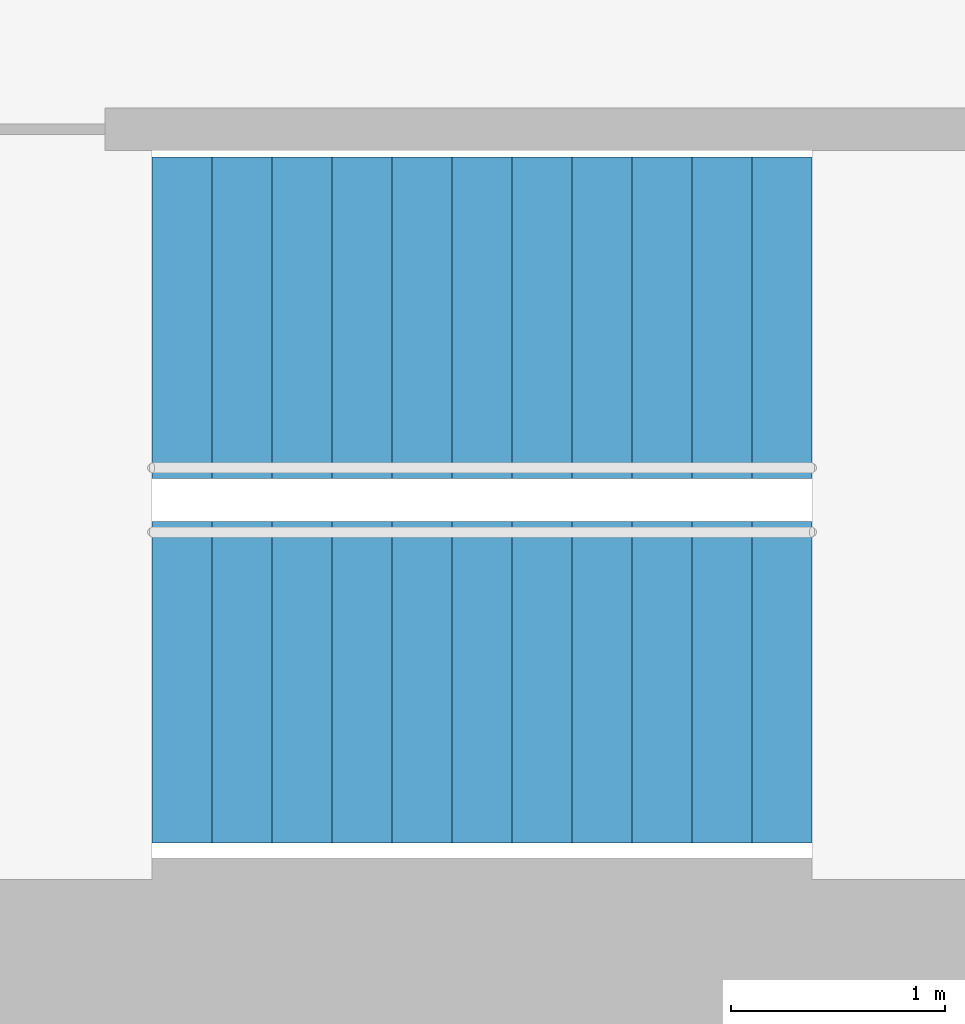
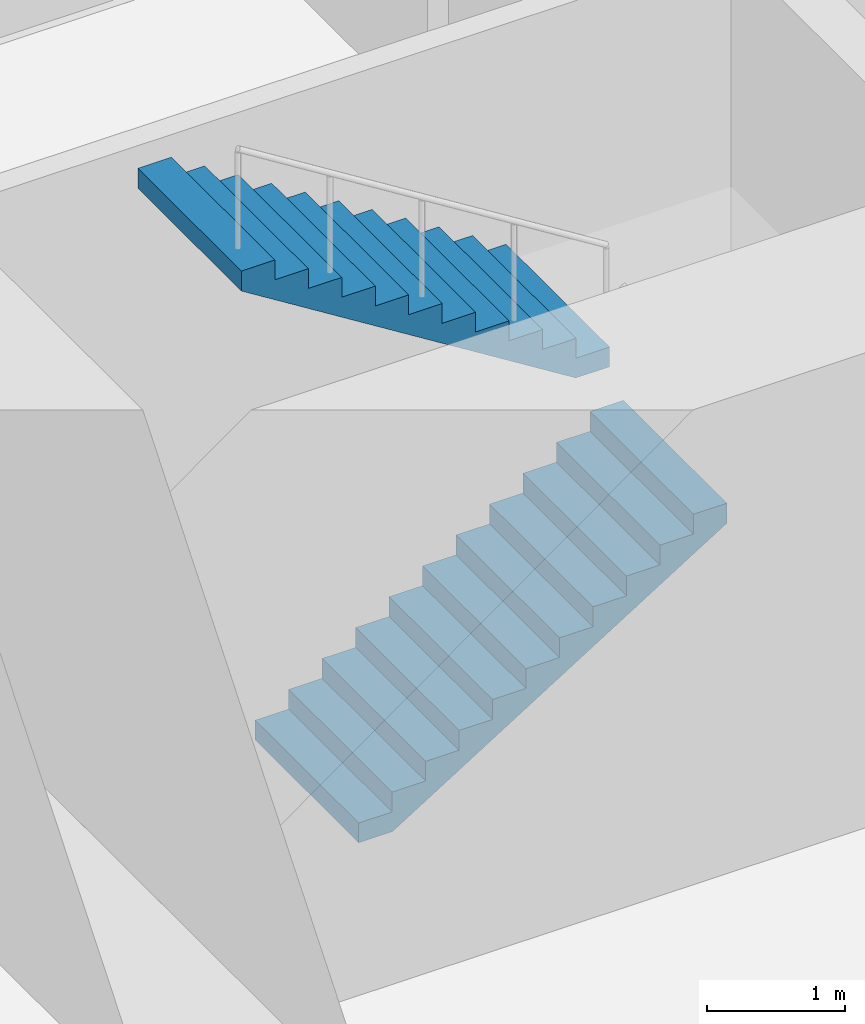
# One storey, part 16 of 18: 2 stair flights, 1 element without a shape of its own.
"""IFC4 building model written with IfcOpenShell, lengths in metres."""

from ifc_helpers import new_model, si_unit, direction, frame, origin, place, context, subcontext, project, spatial, triangles, material, type_object, element, aggregate, save


model = new_model("IFC4")

# Units and contexts
model_context = context("Model", 3, precision=1e-05, world=origin(), true_north=direction((0.0, 1.0)))
body_context = subcontext(model_context, "Body", "Model", "MODEL_VIEW")
ifc_project = project(units=[si_unit("LENGTHUNIT", "METRE"), si_unit("AREAUNIT", "SQUARE_METRE"), si_unit("VOLUMEUNIT", "CUBIC_METRE"), si_unit("PLANEANGLEUNIT", "RADIAN"), si_unit("MASSUNIT", "GRAM", prefix="KILO")], contexts=[model_context])

# Site, building, storey
site_placement = place(None, origin())
site = spatial("IfcSite", under=ifc_project, at=site_placement, CompositionType="ELEMENT")
building_placement = place(site_placement, origin())
building = spatial("IfcBuilding", under=site, at=building_placement, Name="Lantaw Convention Tower", CompositionType="ELEMENT")
storey_placement = place(building_placement, frame((0.0, 0.0, 172.0)))
storey = spatial("IfcBuildingStorey", under=building, at=storey_placement, Name="L40", CompositionType="ELEMENT", Elevation=172.0)

# Stair, stair flights
ifc_material = material(Name="Concrete C35/45", Category="concrete")
stair_type = type_object("IfcStairType", Name="Exit stair 1500 riser 175 in 2 flights", PredefinedType="HALF_TURN_STAIR", material=ifc_material)
stair_placement = place(storey_placement, origin())
stair = element("IfcStair", 1, at=stair_placement, inside=storey, type_object=stair_type, Name="Exit stair S1 L40", PredefinedType="HALF_TURN_STAIR")
stair_flight_type = type_object("IfcStairFlightType", Name="Stair flight 1500 riser 175", PredefinedType="STRAIGHT", material=ifc_material)
stair_flight_1_placement = place(storey_placement, frame((-10.580078125, -5.97998046875, 0.0), z_axis=(0.0, 0.0, 1.0), x_axis=(1.0, 0.0, 0.0)))
stair_flight_1 = element("IfcStairFlight", 2, at=stair_flight_1_placement, type_object=stair_flight_type, Name="S1 flight 1", NumberOfRisers=12, NumberOfTreads=11, PredefinedType="STRAIGHT", RiserHeight=0.175, TreadLength=0.28, context=body_context, shape_type="Tessellation", body=[
    triangles([(0.0, 0.75, 0.0), (0.0, 0.75, 0.175), (0.28, 0.75, 0.0), (0.28, 0.75, 0.175), (0.28, 0.75, 0.35), (0.28283517651771284, 0.75, 0.0), (0.28283517651771284, 0.75, 0.35), (0.56, 0.75, 0.17322801467642948), (0.56, 0.75, 0.35), (0.56, 0.75, 0.5249999999999999), (0.8400000000000001, 0.75, 0.34822801467642944), (0.8400000000000001, 0.75, 0.5249999999999999), (0.8400000000000001, 0.75, 0.7), (1.12, 0.75, 0.5232280146764294), (1.12, 0.75, 0.7), (1.12, 0.75, 0.875), (1.4000000000000001, 0.75, 0.6982280146764295), (1.4000000000000001, 0.75, 0.875), (1.4000000000000001, 0.75, 1.0499999999999998), (1.6800000000000002, 0.75, 0.8732280146764294), (1.6800000000000002, 0.75, 1.0499999999999998), (1.6800000000000002, 0.75, 1.2249999999999999), (1.9600000000000002, 0.75, 1.0482280146764293), (1.9600000000000002, 0.75, 1.2249999999999999), (1.9600000000000002, 0.75, 1.4), (2.24, 0.75, 1.2232280146764294), (2.24, 0.75, 1.4), (2.24, 0.75, 1.575), (2.5200000000000005, 0.75, 1.3982280146764294), (2.5200000000000005, 0.75, 1.575), (2.5200000000000005, 0.75, 1.75), (2.8000000000000003, 0.75, 1.5732280146764293), (2.8000000000000003, 0.75, 1.75), (2.8000000000000003, 0.75, 1.9249999999999998), (3.08, 0.75, 1.7482280146764293), (3.08, 0.75, 1.9249999999999998), (0.0, -0.75, 0.0), (0.0, -0.75, 0.175), (0.28, -0.75, 0.0), (0.28, -0.75, 0.175), (0.28, -0.75, 0.35), (0.28283517651771284, -0.75, 0.0), (0.28283517651771284, -0.75, 0.35), (0.56, -0.75, 0.17322801467642948), (0.56, -0.75, 0.35), (0.56, -0.75, 0.5249999999999999), (0.8400000000000001, -0.75, 0.34822801467642944), (0.8400000000000001, -0.75, 0.5249999999999999), (0.8400000000000001, -0.75, 0.7), (1.12, -0.75, 0.5232280146764294), (1.12, -0.75, 0.7), (1.12, -0.75, 0.875), (1.4000000000000001, -0.75, 0.6982280146764295), (1.4000000000000001, -0.75, 0.875), (1.4000000000000001, -0.75, 1.0499999999999998), (1.6800000000000002, -0.75, 0.8732280146764294), (1.6800000000000002, -0.75, 1.0499999999999998), (1.6800000000000002, -0.75, 1.2249999999999999), (1.9600000000000002, -0.75, 1.0482280146764293), (1.9600000000000002, -0.75, 1.2249999999999999), (1.9600000000000002, -0.75, 1.4), (2.24, -0.75, 1.2232280146764294), (2.24, -0.75, 1.4), (2.24, -0.75, 1.575), (2.5200000000000005, -0.75, 1.3982280146764294), (2.5200000000000005, -0.75, 1.575), (2.5200000000000005, -0.75, 1.75), (2.8000000000000003, -0.75, 1.5732280146764293), (2.8000000000000003, -0.75, 1.75), (2.8000000000000003, -0.75, 1.9249999999999998), (3.08, -0.75, 1.7482280146764293), (3.08, -0.75, 1.9249999999999998), (0.0, 0.15000000000000002, 0.175), (0.0, 0.15000000000000002, 0.0), (0.0, 0.0, 0.175), (0.0, 0.0, 0.0), (0.0, -0.15000000000000002, 0.175), (0.0, -0.15000000000000002, 0.0), (0.28, 0.15000000000000002, 0.35), (0.28, 0.15000000000000002, 0.175), (0.28, 0.0, 0.35), (0.28, 0.0, 0.175), (0.28, -0.15000000000000002, 0.35), (0.28, -0.15000000000000002, 0.175), (0.56, 0.15000000000000002, 0.5249999999999999), (0.56, 0.15000000000000002, 0.35), (0.56, 0.0, 0.5249999999999999), (0.56, 0.0, 0.35), (0.56, -0.15000000000000002, 0.5249999999999999), (0.56, -0.15000000000000002, 0.35), (0.8400000000000001, 0.15000000000000002, 0.7), (0.8400000000000001, 0.15000000000000002, 0.5249999999999999), (0.8400000000000001, 0.0, 0.7), (0.8400000000000001, 0.0, 0.5249999999999999), (0.8400000000000001, -0.15000000000000002, 0.7), (0.8400000000000001, -0.15000000000000002, 0.5249999999999999), (1.12, 0.15000000000000002, 0.875), (1.12, 0.15000000000000002, 0.7), (1.12, 0.0, 0.875), (1.12, 0.0, 0.7), (1.12, -0.15000000000000002, 0.875), (1.12, -0.15000000000000002, 0.7), (1.4000000000000001, 0.15000000000000002, 1.0499999999999998), (1.4000000000000001, 0.15000000000000002, 0.875), (1.4000000000000001, 0.0, 1.0499999999999998), (1.4000000000000001, 0.0, 0.875), (1.4000000000000001, -0.15000000000000002, 1.0499999999999998), (1.4000000000000001, -0.15000000000000002, 0.875), (1.6800000000000002, 0.15000000000000002, 1.2249999999999999), (1.6800000000000002, 0.15000000000000002, 1.0499999999999998), (1.6800000000000002, 0.0, 1.2249999999999999), (1.6800000000000002, 0.0, 1.0499999999999998), (1.6800000000000002, -0.15000000000000002, 1.2249999999999999), (1.6800000000000002, -0.15000000000000002, 1.0499999999999998), (1.9600000000000002, 0.15000000000000002, 1.4), (1.9600000000000002, 0.15000000000000002, 1.2249999999999999), (1.9600000000000002, 0.0, 1.4), (1.9600000000000002, 0.0, 1.2249999999999999), (1.9600000000000002, -0.15000000000000002, 1.4), (1.9600000000000002, -0.15000000000000002, 1.2249999999999999), (2.24, 0.15000000000000002, 1.575), (2.24, 0.15000000000000002, 1.4), (2.24, 0.0, 1.575), (2.24, 0.0, 1.4), (2.24, -0.15000000000000002, 1.575), (2.24, -0.15000000000000002, 1.4), (2.5200000000000005, 0.15000000000000002, 1.75), (2.5200000000000005, 0.15000000000000002, 1.575), (2.5200000000000005, 0.0, 1.75), (2.5200000000000005, 0.0, 1.575), (2.5200000000000005, -0.15000000000000002, 1.75), (2.5200000000000005, -0.15000000000000002, 1.575), (2.8000000000000003, 0.15000000000000002, 1.9249999999999998), (2.8000000000000003, 0.15000000000000002, 1.75), (2.8000000000000003, 0.0, 1.9249999999999998), (2.8000000000000003, 0.0, 1.75), (2.8000000000000003, -0.15000000000000002, 1.9249999999999998), (2.8000000000000003, -0.15000000000000002, 1.75), (0.28283517651771284, 0.15000000000000002, 0.35), (0.28283517651771284, 0.0, 0.35), (0.28283517651771284, -0.15000000000000002, 0.35), (3.08, 0.15000000000000002, 1.9249999999999998), (3.08, 0.0, 1.9249999999999998), (3.08, -0.15000000000000002, 1.9249999999999998), (3.08, 0.15000000000000002, 1.7482280146764293), (3.08, 0.0, 1.7482280146764293), (3.08, -0.15000000000000002, 1.7482280146764293), (2.8000000000000003, 0.15000000000000002, 1.5732280146764293), (2.8000000000000003, 0.0, 1.5732280146764293), (2.8000000000000003, -0.15000000000000002, 1.5732280146764293), (2.5200000000000005, 0.15000000000000002, 1.3982280146764294), (2.5200000000000005, 0.0, 1.3982280146764294), (2.5200000000000005, -0.15000000000000002, 1.3982280146764294), (2.24, 0.15000000000000002, 1.2232280146764294), (2.24, 0.0, 1.2232280146764294), (2.24, -0.15000000000000002, 1.2232280146764294), (1.9600000000000002, 0.15000000000000002, 1.0482280146764293), (1.9600000000000002, 0.0, 1.0482280146764293), (1.9600000000000002, -0.15000000000000002, 1.0482280146764293), (1.6800000000000002, 0.15000000000000002, 0.8732280146764294), (1.6800000000000002, 0.0, 0.8732280146764294), (1.6800000000000002, -0.15000000000000002, 0.8732280146764294), (1.4000000000000001, 0.15000000000000002, 0.6982280146764295), (1.4000000000000001, 0.0, 0.6982280146764295), (1.4000000000000001, -0.15000000000000002, 0.6982280146764295), (1.12, 0.15000000000000002, 0.5232280146764294), (1.12, 0.0, 0.5232280146764294), (1.12, -0.15000000000000002, 0.5232280146764294), (0.8400000000000001, 0.15000000000000002, 0.34822801467642944), (0.8400000000000001, 0.0, 0.34822801467642944), (0.8400000000000001, -0.15000000000000002, 0.34822801467642944), (0.56, 0.15000000000000002, 0.17322801467642948), (0.56, 0.0, 0.17322801467642948), (0.56, -0.15000000000000002, 0.17322801467642948), (0.28283517651771284, 0.15000000000000002, 0.0), (0.28283517651771284, 0.0, 0.0), (0.28283517651771284, -0.15000000000000002, 0.0), (0.28, 0.15000000000000002, 0.0), (0.28, 0.0, 0.0), (0.28, -0.15000000000000002, 0.0)], [[1, 4, 3], [1, 2, 4], [3, 4, 6], [4, 7, 6], [4, 5, 7], [6, 9, 8], [6, 7, 9], [8, 9, 11], [9, 12, 11], [9, 10, 12], [11, 12, 14], [12, 15, 14], [12, 13, 15], [14, 15, 17], [15, 18, 17], [15, 16, 18], [17, 18, 20], [18, 21, 20], [18, 19, 21], [20, 21, 23], [21, 24, 23], [21, 22, 24], [23, 24, 26], [24, 27, 26], [24, 25, 27], [26, 27, 29], [27, 30, 29], [27, 28, 30], [29, 30, 32], [30, 33, 32], [30, 31, 33], [32, 33, 35], [33, 36, 35], [33, 34, 36], [37, 39, 40], [37, 40, 38], [39, 42, 40], [40, 42, 43], [40, 43, 41], [42, 44, 45], [42, 45, 43], [44, 47, 45], [45, 47, 48], [45, 48, 46], [47, 50, 48], [48, 50, 51], [48, 51, 49], [50, 53, 51], [51, 53, 54], [51, 54, 52], [53, 56, 54], [54, 56, 57], [54, 57, 55], [56, 59, 57], [57, 59, 60], [57, 60, 58], [59, 62, 60], [60, 62, 63], [60, 63, 61], [62, 65, 63], [63, 65, 66], [63, 66, 64], [65, 68, 66], [66, 68, 69], [66, 69, 67], [68, 71, 69], [69, 71, 72], [69, 72, 70], [1, 73, 2], [1, 74, 73], [74, 75, 73], [74, 76, 75], [76, 77, 75], [76, 78, 77], [78, 38, 77], [78, 37, 38], [4, 79, 5], [4, 80, 79], [80, 81, 79], [80, 82, 81], [82, 83, 81], [82, 84, 83], [84, 41, 83], [84, 40, 41], [9, 85, 10], [9, 86, 85], [86, 87, 85], [86, 88, 87], [88, 89, 87], [88, 90, 89], [90, 46, 89], [90, 45, 46], [12, 91, 13], [12, 92, 91], [92, 93, 91], [92, 94, 93], [94, 95, 93], [94, 96, 95], [96, 49, 95], [96, 48, 49], [15, 97, 16], [15, 98, 97], [98, 99, 97], [98, 100, 99], [100, 101, 99], [100, 102, 101], [102, 52, 101], [102, 51, 52], [18, 103, 19], [18, 104, 103], [104, 105, 103], [104, 106, 105], [106, 107, 105], [106, 108, 107], [108, 55, 107], [108, 54, 55], [21, 109, 22], [21, 110, 109], [110, 111, 109], [110, 112, 111], [112, 113, 111], [112, 114, 113], [114, 58, 113], [114, 57, 58], [24, 115, 25], [24, 116, 115], [116, 117, 115], [116, 118, 117], [118, 119, 117], [118, 120, 119], [120, 61, 119], [120, 60, 61], [27, 121, 28], [27, 122, 121], [122, 123, 121], [122, 124, 123], [124, 125, 123], [124, 126, 125], [126, 64, 125], [126, 63, 64], [30, 127, 31], [30, 128, 127], [128, 129, 127], [128, 130, 129], [130, 131, 129], [130, 132, 131], [132, 67, 131], [132, 66, 67], [33, 133, 34], [33, 134, 133], [134, 135, 133], [134, 136, 135], [136, 137, 135], [136, 138, 137], [138, 70, 137], [138, 69, 70], [2, 80, 4], [2, 73, 80], [73, 82, 80], [73, 75, 82], [75, 84, 82], [75, 77, 84], [77, 40, 84], [77, 38, 40], [5, 139, 7], [5, 79, 139], [79, 140, 139], [79, 81, 140], [81, 141, 140], [81, 83, 141], [83, 43, 141], [83, 41, 43], [7, 86, 9], [7, 139, 86], [139, 88, 86], [139, 140, 88], [140, 90, 88], [140, 141, 90], [141, 45, 90], [141, 43, 45], [10, 92, 12], [10, 85, 92], [85, 94, 92], [85, 87, 94], [87, 96, 94], [87, 89, 96], [89, 48, 96], [89, 46, 48], [13, 98, 15], [13, 91, 98], [91, 100, 98], [91, 93, 100], [93, 102, 100], [93, 95, 102], [95, 51, 102], [95, 49, 51], [16, 104, 18], [16, 97, 104], [97, 106, 104], [97, 99, 106], [99, 108, 106], [99, 101, 108], [101, 54, 108], [101, 52, 54], [19, 110, 21], [19, 103, 110], [103, 112, 110], [103, 105, 112], [105, 114, 112], [105, 107, 114], [107, 57, 114], [107, 55, 57], [22, 116, 24], [22, 109, 116], [109, 118, 116], [109, 111, 118], [111, 120, 118], [111, 113, 120], [113, 60, 120], [113, 58, 60], [25, 122, 27], [25, 115, 122], [115, 124, 122], [115, 117, 124], [117, 126, 124], [117, 119, 126], [119, 63, 126], [119, 61, 63], [28, 128, 30], [28, 121, 128], [121, 130, 128], [121, 123, 130], [123, 132, 130], [123, 125, 132], [125, 66, 132], [125, 64, 66], [31, 134, 33], [31, 127, 134], [127, 136, 134], [127, 129, 136], [129, 138, 136], [129, 131, 138], [131, 69, 138], [131, 67, 69], [34, 142, 36], [34, 133, 142], [133, 143, 142], [133, 135, 143], [135, 144, 143], [135, 137, 144], [137, 72, 144], [137, 70, 72], [36, 145, 35], [36, 142, 145], [142, 146, 145], [142, 143, 146], [143, 147, 146], [143, 144, 147], [144, 71, 147], [144, 72, 71], [35, 148, 32], [35, 145, 148], [145, 149, 148], [145, 146, 149], [146, 150, 149], [146, 147, 150], [147, 68, 150], [147, 71, 68], [32, 151, 29], [32, 148, 151], [148, 152, 151], [148, 149, 152], [149, 153, 152], [149, 150, 153], [150, 65, 153], [150, 68, 65], [29, 154, 26], [29, 151, 154], [151, 155, 154], [151, 152, 155], [152, 156, 155], [152, 153, 156], [153, 62, 156], [153, 65, 62], [26, 157, 23], [26, 154, 157], [154, 158, 157], [154, 155, 158], [155, 159, 158], [155, 156, 159], [156, 59, 159], [156, 62, 59], [23, 160, 20], [23, 157, 160], [157, 161, 160], [157, 158, 161], [158, 162, 161], [158, 159, 162], [159, 56, 162], [159, 59, 56], [20, 163, 17], [20, 160, 163], [160, 164, 163], [160, 161, 164], [161, 165, 164], [161, 162, 165], [162, 53, 165], [162, 56, 53], [17, 166, 14], [17, 163, 166], [163, 167, 166], [163, 164, 167], [164, 168, 167], [164, 165, 168], [165, 50, 168], [165, 53, 50], [14, 169, 11], [14, 166, 169], [166, 170, 169], [166, 167, 170], [167, 171, 170], [167, 168, 171], [168, 47, 171], [168, 50, 47], [11, 172, 8], [11, 169, 172], [169, 173, 172], [169, 170, 173], [170, 174, 173], [170, 171, 174], [171, 44, 174], [171, 47, 44], [8, 175, 6], [8, 172, 175], [172, 176, 175], [172, 173, 176], [173, 177, 176], [173, 174, 177], [174, 42, 177], [174, 44, 42], [6, 178, 3], [6, 175, 178], [175, 179, 178], [175, 176, 179], [176, 180, 179], [176, 177, 180], [177, 39, 180], [177, 42, 39], [3, 74, 1], [3, 178, 74], [178, 76, 74], [178, 179, 76], [179, 78, 76], [179, 180, 78], [180, 37, 78], [180, 39, 37]], closed=True),
])
stair_flight_2_placement = place(storey_placement, frame((-7.5, -4.280029296875, 2.10009765625), z_axis=(0.0, 0.0, 1.0), x_axis=(-1.0, 0.0, 0.0)))
stair_flight_2 = element("IfcStairFlight", 3, at=stair_flight_2_placement, type_object=stair_flight_type, Name="S1 flight 2", NumberOfRisers=12, NumberOfTreads=11, PredefinedType="STRAIGHT", RiserHeight=0.175, TreadLength=0.28, context=body_context, shape_type="Tessellation", body=[
    triangles([(0.0, 0.75, 0.0), (0.0, 0.75, 0.175), (0.28, 0.75, 0.0), (0.28, 0.75, 0.175), (0.28, 0.75, 0.35), (0.28283517651771284, 0.75, 0.0), (0.28283517651771284, 0.75, 0.35), (0.56, 0.75, 0.17322801467642948), (0.56, 0.75, 0.35), (0.56, 0.75, 0.5249999999999999), (0.8400000000000001, 0.75, 0.34822801467642944), (0.8400000000000001, 0.75, 0.5249999999999999), (0.8400000000000001, 0.75, 0.7), (1.12, 0.75, 0.5232280146764294), (1.12, 0.75, 0.7), (1.12, 0.75, 0.875), (1.4000000000000001, 0.75, 0.6982280146764295), (1.4000000000000001, 0.75, 0.875), (1.4000000000000001, 0.75, 1.0499999999999998), (1.6800000000000002, 0.75, 0.8732280146764294), (1.6800000000000002, 0.75, 1.0499999999999998), (1.6800000000000002, 0.75, 1.2249999999999999), (1.9600000000000002, 0.75, 1.0482280146764293), (1.9600000000000002, 0.75, 1.2249999999999999), (1.9600000000000002, 0.75, 1.4), (2.24, 0.75, 1.2232280146764294), (2.24, 0.75, 1.4), (2.24, 0.75, 1.575), (2.5200000000000005, 0.75, 1.3982280146764294), (2.5200000000000005, 0.75, 1.575), (2.5200000000000005, 0.75, 1.75), (2.8000000000000003, 0.75, 1.5732280146764293), (2.8000000000000003, 0.75, 1.75), (2.8000000000000003, 0.75, 1.9249999999999998), (3.08, 0.75, 1.7482280146764293), (3.08, 0.75, 1.9249999999999998), (0.0, -0.75, 0.0), (0.0, -0.75, 0.175), (0.28, -0.75, 0.0), (0.28, -0.75, 0.175), (0.28, -0.75, 0.35), (0.28283517651771284, -0.75, 0.0), (0.28283517651771284, -0.75, 0.35), (0.56, -0.75, 0.17322801467642948), (0.56, -0.75, 0.35), (0.56, -0.75, 0.5249999999999999), (0.8400000000000001, -0.75, 0.34822801467642944), (0.8400000000000001, -0.75, 0.5249999999999999), (0.8400000000000001, -0.75, 0.7), (1.12, -0.75, 0.5232280146764294), (1.12, -0.75, 0.7), (1.12, -0.75, 0.875), (1.4000000000000001, -0.75, 0.6982280146764295), (1.4000000000000001, -0.75, 0.875), (1.4000000000000001, -0.75, 1.0499999999999998), (1.6800000000000002, -0.75, 0.8732280146764294), (1.6800000000000002, -0.75, 1.0499999999999998), (1.6800000000000002, -0.75, 1.2249999999999999), (1.9600000000000002, -0.75, 1.0482280146764293), (1.9600000000000002, -0.75, 1.2249999999999999), (1.9600000000000002, -0.75, 1.4), (2.24, -0.75, 1.2232280146764294), (2.24, -0.75, 1.4), (2.24, -0.75, 1.575), (2.5200000000000005, -0.75, 1.3982280146764294), (2.5200000000000005, -0.75, 1.575), (2.5200000000000005, -0.75, 1.75), (2.8000000000000003, -0.75, 1.5732280146764293), (2.8000000000000003, -0.75, 1.75), (2.8000000000000003, -0.75, 1.9249999999999998), (3.08, -0.75, 1.7482280146764293), (3.08, -0.75, 1.9249999999999998), (0.0, 0.15000000000000002, 0.175), (0.0, 0.15000000000000002, 0.0), (0.0, 0.0, 0.175), (0.0, 0.0, 0.0), (0.0, -0.15000000000000002, 0.175), (0.0, -0.15000000000000002, 0.0), (0.28, 0.15000000000000002, 0.35), (0.28, 0.15000000000000002, 0.175), (0.28, 0.0, 0.35), (0.28, 0.0, 0.175), (0.28, -0.15000000000000002, 0.35), (0.28, -0.15000000000000002, 0.175), (0.56, 0.15000000000000002, 0.5249999999999999), (0.56, 0.15000000000000002, 0.35), (0.56, 0.0, 0.5249999999999999), (0.56, 0.0, 0.35), (0.56, -0.15000000000000002, 0.5249999999999999), (0.56, -0.15000000000000002, 0.35), (0.8400000000000001, 0.15000000000000002, 0.7), (0.8400000000000001, 0.15000000000000002, 0.5249999999999999), (0.8400000000000001, 0.0, 0.7), (0.8400000000000001, 0.0, 0.5249999999999999), (0.8400000000000001, -0.15000000000000002, 0.7), (0.8400000000000001, -0.15000000000000002, 0.5249999999999999), (1.12, 0.15000000000000002, 0.875), (1.12, 0.15000000000000002, 0.7), (1.12, 0.0, 0.875), (1.12, 0.0, 0.7), (1.12, -0.15000000000000002, 0.875), (1.12, -0.15000000000000002, 0.7), (1.4000000000000001, 0.15000000000000002, 1.0499999999999998), (1.4000000000000001, 0.15000000000000002, 0.875), (1.4000000000000001, 0.0, 1.0499999999999998), (1.4000000000000001, 0.0, 0.875), (1.4000000000000001, -0.15000000000000002, 1.0499999999999998), (1.4000000000000001, -0.15000000000000002, 0.875), (1.6800000000000002, 0.15000000000000002, 1.2249999999999999), (1.6800000000000002, 0.15000000000000002, 1.0499999999999998), (1.6800000000000002, 0.0, 1.2249999999999999), (1.6800000000000002, 0.0, 1.0499999999999998), (1.6800000000000002, -0.15000000000000002, 1.2249999999999999), (1.6800000000000002, -0.15000000000000002, 1.0499999999999998), (1.9600000000000002, 0.15000000000000002, 1.4), (1.9600000000000002, 0.15000000000000002, 1.2249999999999999), (1.9600000000000002, 0.0, 1.4), (1.9600000000000002, 0.0, 1.2249999999999999), (1.9600000000000002, -0.15000000000000002, 1.4), (1.9600000000000002, -0.15000000000000002, 1.2249999999999999), (2.24, 0.15000000000000002, 1.575), (2.24, 0.15000000000000002, 1.4), (2.24, 0.0, 1.575), (2.24, 0.0, 1.4), (2.24, -0.15000000000000002, 1.575), (2.24, -0.15000000000000002, 1.4), (2.5200000000000005, 0.15000000000000002, 1.75), (2.5200000000000005, 0.15000000000000002, 1.575), (2.5200000000000005, 0.0, 1.75), (2.5200000000000005, 0.0, 1.575), (2.5200000000000005, -0.15000000000000002, 1.75), (2.5200000000000005, -0.15000000000000002, 1.575), (2.8000000000000003, 0.15000000000000002, 1.9249999999999998), (2.8000000000000003, 0.15000000000000002, 1.75), (2.8000000000000003, 0.0, 1.9249999999999998), (2.8000000000000003, 0.0, 1.75), (2.8000000000000003, -0.15000000000000002, 1.9249999999999998), (2.8000000000000003, -0.15000000000000002, 1.75), (0.28283517651771284, 0.15000000000000002, 0.35), (0.28283517651771284, 0.0, 0.35), (0.28283517651771284, -0.15000000000000002, 0.35), (3.08, 0.15000000000000002, 1.9249999999999998), (3.08, 0.0, 1.9249999999999998), (3.08, -0.15000000000000002, 1.9249999999999998), (3.08, 0.15000000000000002, 1.7482280146764293), (3.08, 0.0, 1.7482280146764293), (3.08, -0.15000000000000002, 1.7482280146764293), (2.8000000000000003, 0.15000000000000002, 1.5732280146764293), (2.8000000000000003, 0.0, 1.5732280146764293), (2.8000000000000003, -0.15000000000000002, 1.5732280146764293), (2.5200000000000005, 0.15000000000000002, 1.3982280146764294), (2.5200000000000005, 0.0, 1.3982280146764294), (2.5200000000000005, -0.15000000000000002, 1.3982280146764294), (2.24, 0.15000000000000002, 1.2232280146764294), (2.24, 0.0, 1.2232280146764294), (2.24, -0.15000000000000002, 1.2232280146764294), (1.9600000000000002, 0.15000000000000002, 1.0482280146764293), (1.9600000000000002, 0.0, 1.0482280146764293), (1.9600000000000002, -0.15000000000000002, 1.0482280146764293), (1.6800000000000002, 0.15000000000000002, 0.8732280146764294), (1.6800000000000002, 0.0, 0.8732280146764294), (1.6800000000000002, -0.15000000000000002, 0.8732280146764294), (1.4000000000000001, 0.15000000000000002, 0.6982280146764295), (1.4000000000000001, 0.0, 0.6982280146764295), (1.4000000000000001, -0.15000000000000002, 0.6982280146764295), (1.12, 0.15000000000000002, 0.5232280146764294), (1.12, 0.0, 0.5232280146764294), (1.12, -0.15000000000000002, 0.5232280146764294), (0.8400000000000001, 0.15000000000000002, 0.34822801467642944), (0.8400000000000001, 0.0, 0.34822801467642944), (0.8400000000000001, -0.15000000000000002, 0.34822801467642944), (0.56, 0.15000000000000002, 0.17322801467642948), (0.56, 0.0, 0.17322801467642948), (0.56, -0.15000000000000002, 0.17322801467642948), (0.28283517651771284, 0.15000000000000002, 0.0), (0.28283517651771284, 0.0, 0.0), (0.28283517651771284, -0.15000000000000002, 0.0), (0.28, 0.15000000000000002, 0.0), (0.28, 0.0, 0.0), (0.28, -0.15000000000000002, 0.0)], [[1, 4, 3], [1, 2, 4], [3, 4, 6], [4, 7, 6], [4, 5, 7], [6, 9, 8], [6, 7, 9], [8, 9, 11], [9, 12, 11], [9, 10, 12], [11, 12, 14], [12, 15, 14], [12, 13, 15], [14, 15, 17], [15, 18, 17], [15, 16, 18], [17, 18, 20], [18, 21, 20], [18, 19, 21], [20, 21, 23], [21, 24, 23], [21, 22, 24], [23, 24, 26], [24, 27, 26], [24, 25, 27], [26, 27, 29], [27, 30, 29], [27, 28, 30], [29, 30, 32], [30, 33, 32], [30, 31, 33], [32, 33, 35], [33, 36, 35], [33, 34, 36], [37, 39, 40], [37, 40, 38], [39, 42, 40], [40, 42, 43], [40, 43, 41], [42, 44, 45], [42, 45, 43], [44, 47, 45], [45, 47, 48], [45, 48, 46], [47, 50, 48], [48, 50, 51], [48, 51, 49], [50, 53, 51], [51, 53, 54], [51, 54, 52], [53, 56, 54], [54, 56, 57], [54, 57, 55], [56, 59, 57], [57, 59, 60], [57, 60, 58], [59, 62, 60], [60, 62, 63], [60, 63, 61], [62, 65, 63], [63, 65, 66], [63, 66, 64], [65, 68, 66], [66, 68, 69], [66, 69, 67], [68, 71, 69], [69, 71, 72], [69, 72, 70], [1, 73, 2], [1, 74, 73], [74, 75, 73], [74, 76, 75], [76, 77, 75], [76, 78, 77], [78, 38, 77], [78, 37, 38], [4, 79, 5], [4, 80, 79], [80, 81, 79], [80, 82, 81], [82, 83, 81], [82, 84, 83], [84, 41, 83], [84, 40, 41], [9, 85, 10], [9, 86, 85], [86, 87, 85], [86, 88, 87], [88, 89, 87], [88, 90, 89], [90, 46, 89], [90, 45, 46], [12, 91, 13], [12, 92, 91], [92, 93, 91], [92, 94, 93], [94, 95, 93], [94, 96, 95], [96, 49, 95], [96, 48, 49], [15, 97, 16], [15, 98, 97], [98, 99, 97], [98, 100, 99], [100, 101, 99], [100, 102, 101], [102, 52, 101], [102, 51, 52], [18, 103, 19], [18, 104, 103], [104, 105, 103], [104, 106, 105], [106, 107, 105], [106, 108, 107], [108, 55, 107], [108, 54, 55], [21, 109, 22], [21, 110, 109], [110, 111, 109], [110, 112, 111], [112, 113, 111], [112, 114, 113], [114, 58, 113], [114, 57, 58], [24, 115, 25], [24, 116, 115], [116, 117, 115], [116, 118, 117], [118, 119, 117], [118, 120, 119], [120, 61, 119], [120, 60, 61], [27, 121, 28], [27, 122, 121], [122, 123, 121], [122, 124, 123], [124, 125, 123], [124, 126, 125], [126, 64, 125], [126, 63, 64], [30, 127, 31], [30, 128, 127], [128, 129, 127], [128, 130, 129], [130, 131, 129], [130, 132, 131], [132, 67, 131], [132, 66, 67], [33, 133, 34], [33, 134, 133], [134, 135, 133], [134, 136, 135], [136, 137, 135], [136, 138, 137], [138, 70, 137], [138, 69, 70], [2, 80, 4], [2, 73, 80], [73, 82, 80], [73, 75, 82], [75, 84, 82], [75, 77, 84], [77, 40, 84], [77, 38, 40], [5, 139, 7], [5, 79, 139], [79, 140, 139], [79, 81, 140], [81, 141, 140], [81, 83, 141], [83, 43, 141], [83, 41, 43], [7, 86, 9], [7, 139, 86], [139, 88, 86], [139, 140, 88], [140, 90, 88], [140, 141, 90], [141, 45, 90], [141, 43, 45], [10, 92, 12], [10, 85, 92], [85, 94, 92], [85, 87, 94], [87, 96, 94], [87, 89, 96], [89, 48, 96], [89, 46, 48], [13, 98, 15], [13, 91, 98], [91, 100, 98], [91, 93, 100], [93, 102, 100], [93, 95, 102], [95, 51, 102], [95, 49, 51], [16, 104, 18], [16, 97, 104], [97, 106, 104], [97, 99, 106], [99, 108, 106], [99, 101, 108], [101, 54, 108], [101, 52, 54], [19, 110, 21], [19, 103, 110], [103, 112, 110], [103, 105, 112], [105, 114, 112], [105, 107, 114], [107, 57, 114], [107, 55, 57], [22, 116, 24], [22, 109, 116], [109, 118, 116], [109, 111, 118], [111, 120, 118], [111, 113, 120], [113, 60, 120], [113, 58, 60], [25, 122, 27], [25, 115, 122], [115, 124, 122], [115, 117, 124], [117, 126, 124], [117, 119, 126], [119, 63, 126], [119, 61, 63], [28, 128, 30], [28, 121, 128], [121, 130, 128], [121, 123, 130], [123, 132, 130], [123, 125, 132], [125, 66, 132], [125, 64, 66], [31, 134, 33], [31, 127, 134], [127, 136, 134], [127, 129, 136], [129, 138, 136], [129, 131, 138], [131, 69, 138], [131, 67, 69], [34, 142, 36], [34, 133, 142], [133, 143, 142], [133, 135, 143], [135, 144, 143], [135, 137, 144], [137, 72, 144], [137, 70, 72], [36, 145, 35], [36, 142, 145], [142, 146, 145], [142, 143, 146], [143, 147, 146], [143, 144, 147], [144, 71, 147], [144, 72, 71], [35, 148, 32], [35, 145, 148], [145, 149, 148], [145, 146, 149], [146, 150, 149], [146, 147, 150], [147, 68, 150], [147, 71, 68], [32, 151, 29], [32, 148, 151], [148, 152, 151], [148, 149, 152], [149, 153, 152], [149, 150, 153], [150, 65, 153], [150, 68, 65], [29, 154, 26], [29, 151, 154], [151, 155, 154], [151, 152, 155], [152, 156, 155], [152, 153, 156], [153, 62, 156], [153, 65, 62], [26, 157, 23], [26, 154, 157], [154, 158, 157], [154, 155, 158], [155, 159, 158], [155, 156, 159], [156, 59, 159], [156, 62, 59], [23, 160, 20], [23, 157, 160], [157, 161, 160], [157, 158, 161], [158, 162, 161], [158, 159, 162], [159, 56, 162], [159, 59, 56], [20, 163, 17], [20, 160, 163], [160, 164, 163], [160, 161, 164], [161, 165, 164], [161, 162, 165], [162, 53, 165], [162, 56, 53], [17, 166, 14], [17, 163, 166], [163, 167, 166], [163, 164, 167], [164, 168, 167], [164, 165, 168], [165, 50, 168], [165, 53, 50], [14, 169, 11], [14, 166, 169], [166, 170, 169], [166, 167, 170], [167, 171, 170], [167, 168, 171], [168, 47, 171], [168, 50, 47], [11, 172, 8], [11, 169, 172], [169, 173, 172], [169, 170, 173], [170, 174, 173], [170, 171, 174], [171, 44, 174], [171, 47, 44], [8, 175, 6], [8, 172, 175], [172, 176, 175], [172, 173, 176], [173, 177, 176], [173, 174, 177], [174, 42, 177], [174, 44, 42], [6, 178, 3], [6, 175, 178], [175, 179, 178], [175, 176, 179], [176, 180, 179], [176, 177, 180], [177, 39, 180], [177, 42, 39], [3, 74, 1], [3, 178, 74], [178, 76, 74], [178, 179, 76], [179, 78, 76], [179, 180, 78], [180, 37, 78], [180, 39, 37]], closed=True),
])
aggregate(stair, [stair_flight_1, stair_flight_2])

save(model, "model.ifc")
